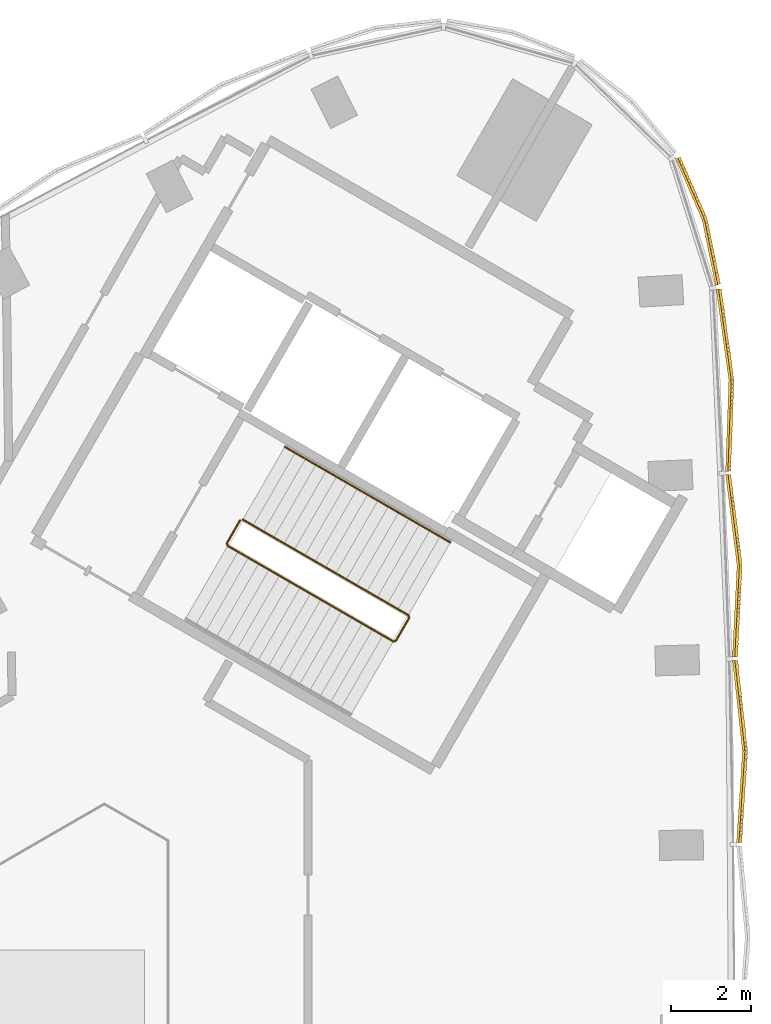
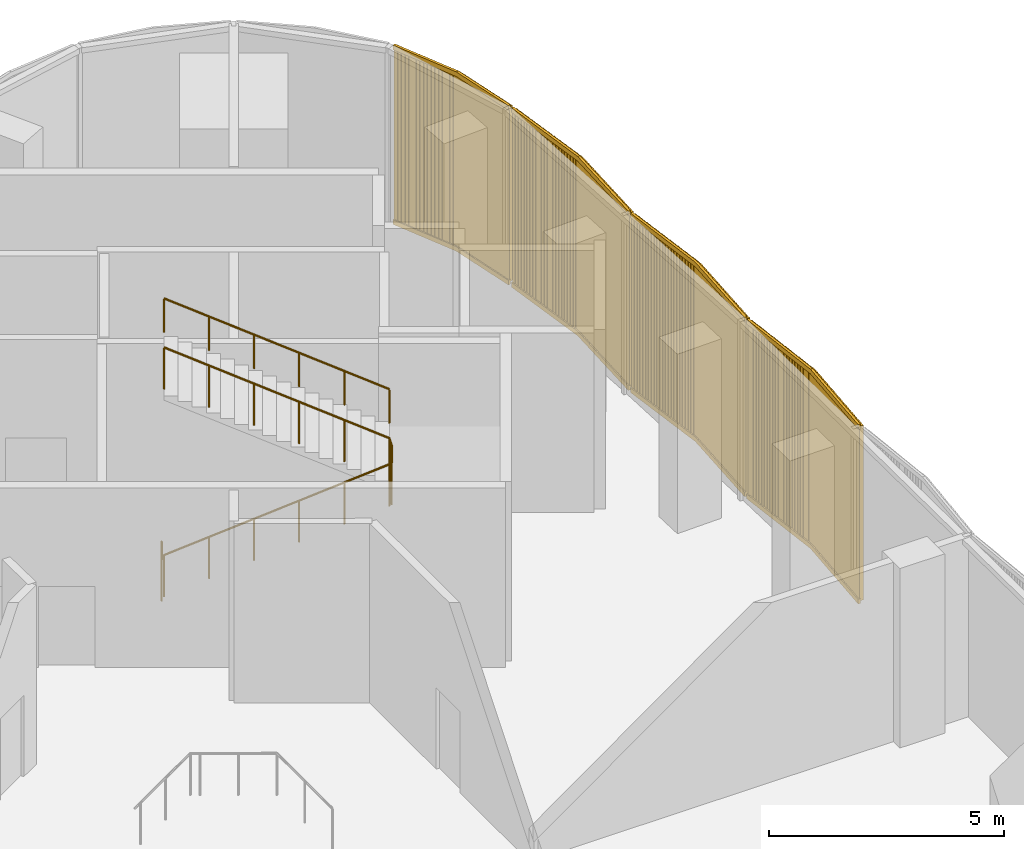
# One storey, part 14 of 15: 4 coverings, 2 railings.
"""IFC4 building model written with IfcOpenShell, lengths in metres."""

import ifcopenshell
import ifcopenshell.guid

model = None  # the IFC model being written
_history = None  # IfcOwnerHistory: only IFC2X3 demands one
_inside = {}  # id of a spatial element -> (the spatial element, [elements in it])
_under = {}  # id of a project, library or spatial element -> (it, [spatial elements below it])
_declared = {}  # id of a project -> (the project, [libraries it declares])
_typed = {}  # id of a type object -> (the type object, [elements of that type])
_made_of = {}  # id of a material, layer set ... -> (it, [elements and type objects made of it])


def new_model(schema):
    """Start an empty IFC model of exactly this schema.

    Asked for "IFC4X3", IfcOpenShell would pick the latest addendum, in which some entities
    have other attributes; the version numbers below select the first issue.
    IFC2X3 requires an IfcOwnerHistory on every rooted entity: one is made here for all.
    """
    global model, _history
    if schema == "IFC4X3":
        model = ifcopenshell.file(schema_version=(4, 3, 0, 0))
    else:
        model = ifcopenshell.file(schema=schema)
    _inside.clear()
    _under.clear()
    _declared.clear()
    _typed.clear()
    _made_of.clear()
    _history = None
    if model.schema == "IFC2X3":
        org = make("IfcOrganization", Name="unknown")
        user = make(
            "IfcPersonAndOrganization",
            ThePerson=make("IfcPerson", FamilyName="unknown"),
            TheOrganization=org,
        )
        app = make(
            "IfcApplication",
            ApplicationDeveloper=org,
            Version="unknown",
            ApplicationFullName="unknown",
            ApplicationIdentifier="unknown",
        )
        _history = make(
            "IfcOwnerHistory",
            OwningUser=user,
            OwningApplication=app,
            ChangeAction="ADDED",
            CreationDate=0,
        )
    return model


def make(cls, **values):
    """One entity of the class cls with the attributes given. An attribute that is None is left unset."""
    return model.create_entity(
        cls, **{name: value for name, value in values.items() if value is not None}
    )


def rooted(cls, **values):
    """An entity with a GlobalId (a new one), such as an element, a storey or a relation."""
    return make(cls, GlobalId=ifcopenshell.guid.new(), OwnerHistory=_history, **values)


def si_unit(unit_type, name, prefix=None):
    """IfcSIUnit, for example si_unit("LENGTHUNIT", "METRE", prefix="MILLI")."""
    return make("IfcSIUnit", UnitType=unit_type, Prefix=prefix, Name=name)


def assignment(units):
    """IfcUnitAssignment: the units of a project."""
    return None if units is None else make("IfcUnitAssignment", Units=units)


def point(xyz):
    """IfcCartesianPoint."""
    return None if xyz is None else make("IfcCartesianPoint", Coordinates=xyz)


def direction(xyz):
    """IfcDirection."""
    return None if xyz is None else make("IfcDirection", DirectionRatios=xyz)


def frame(location, z_axis=None, x_axis=None):
    """IfcAxis2Placement3D, a coordinate frame: its origin and axes. An axis left out is left unset."""
    return make(
        "IfcAxis2Placement3D",
        Location=point(location),
        Axis=direction(z_axis),
        RefDirection=direction(x_axis),
    )


def frame_2d(location, x_axis=None):
    """IfcAxis2Placement2D, a coordinate frame in the plane: its origin and x axis."""
    return make(
        "IfcAxis2Placement2D", Location=point(location), RefDirection=direction(x_axis)
    )


def origin():
    """The frame at (0, 0, 0) with its axes left unset."""
    return frame((0.0, 0.0, 0.0))


def origin_2d():
    """The frame at (0, 0) in the plane with its x axis left unset."""
    return frame_2d((0.0, 0.0))


def place(relative_to, where):
    """IfcLocalPlacement: puts the frame where relative to a parent placement (None: the world)."""
    return make(
        "IfcLocalPlacement", PlacementRelTo=relative_to, RelativePlacement=where
    )


def context(
    kind, dimensions, precision=None, world=None, true_north=None, identifier=None
):
    """IfcGeometricRepresentationContext, for example the 3D "Model" context."""
    return make(
        "IfcGeometricRepresentationContext",
        ContextIdentifier=identifier,
        ContextType=kind,
        CoordinateSpaceDimension=dimensions,
        Precision=precision,
        WorldCoordinateSystem=world,
        TrueNorth=true_north,
    )


def subcontext(parent, identifier, kind, view, scale=None):
    """IfcGeometricRepresentationSubContext, for example "Body" below "Model"."""
    return make(
        "IfcGeometricRepresentationSubContext",
        ContextIdentifier=identifier,
        ContextType=kind,
        ParentContext=parent,
        TargetScale=scale,
        TargetView=view,
    )


def project(units=None, contexts=None):
    """IfcProject with its units and contexts."""
    return rooted(
        "IfcProject",
        Name="project",
        RepresentationContexts=contexts,
        UnitsInContext=assignment(units),
    )


def spatial(cls, under=None, at=None, **own):
    """A site, building, storey or space (cls), placed at a placement, below another one or the project."""
    s = rooted(cls, ObjectPlacement=at, **own)
    if under is not None:
        _under.setdefault(under.id(), (under, []))[1].append(s)
    return s


def profile(cls, at=None, kind="AREA", **sizes):
    """A parametric profile (cls). Its sizes go by their IFC names, for example OverallWidth=200.0."""
    return make(cls, ProfileType=kind, Position=at, **sizes)


def rectangle(**sizes):
    """IfcRectangleProfileDef."""
    return profile("IfcRectangleProfileDef", **sizes)


def circle(**sizes):
    """IfcCircleProfileDef."""
    return profile("IfcCircleProfileDef", **sizes)


def extrude(swept, where, along, depth):
    """IfcExtrudedAreaSolid: the profile swept, set in the frame where, extruded along a direction by depth."""
    return make(
        "IfcExtrudedAreaSolid",
        SweptArea=swept,
        Position=where,
        ExtrudedDirection=direction(along),
        Depth=depth,
    )


def shape(context_of_items, identifier, shape_type, items):
    """IfcShapeRepresentation: the items that make up one representation, for example the "Body"."""
    return make(
        "IfcShapeRepresentation",
        ContextOfItems=context_of_items,
        RepresentationIdentifier=identifier,
        RepresentationType=shape_type,
        Items=items,
    )


def source(mapping_origin, context_of_items, identifier, shape_type, items):
    """IfcRepresentationMap: a shape defined once, which mapped items show again and again."""
    return make(
        "IfcRepresentationMap",
        MappingOrigin=mapping_origin,
        MappedRepresentation=shape(context_of_items, identifier, shape_type, items),
    )


def transform(
    local_origin,
    x_axis=None,
    y_axis=None,
    z_axis=None,
    scale=None,
    scale2=None,
    scale3=None,
    uniform=True,
):
    """IfcCartesianTransformationOperator3D, or its non-uniform kind. x_axis, y_axis, z_axis: its Axis1, 2, 3."""
    if uniform:
        return make(
            "IfcCartesianTransformationOperator3D",
            Axis1=direction(x_axis),
            Axis2=direction(y_axis),
            LocalOrigin=point(local_origin),
            Scale=scale,
            Axis3=direction(z_axis),
        )
    return make(
        "IfcCartesianTransformationOperator3DnonUniform",
        Axis1=direction(x_axis),
        Axis2=direction(y_axis),
        LocalOrigin=point(local_origin),
        Scale=scale,
        Axis3=direction(z_axis),
        Scale2=scale2,
        Scale3=scale3,
    )


def mapped(mapping_source, mapping_target):
    """IfcMappedItem: shows the shape of a source again, moved by a transform."""
    return make(
        "IfcMappedItem", MappingSource=mapping_source, MappingTarget=mapping_target
    )


def material(Name=None, Category=None):
    """IfcMaterial."""
    return make("IfcMaterial", Name=Name, Category=Category)


def made_of(thing, what):
    """Note that an element or type object is made of a material, layer set ...; save() writes the relation."""
    if what is not None:
        _made_of.setdefault(what.id(), (what, []))[1].append(thing)
    return thing


def type_object(cls, material=None, **own):
    """A type object (cls), such as IfcWallType, which elements share."""
    return made_of(rooted(cls, **own), material)


def element(
    cls,
    number,
    at=None,
    inside=None,
    cuts=None,
    type_object=None,
    material=None,
    context=None,
    identifier="Body",
    shape_type=None,
    held_by="IfcProductDefinitionShape",
    body=None,
    shapes=None,
    **own,
):
    """One element of the class cls, such as IfcWall. Its Tag is "e" and its number.

    at: its placement. inside: the storey or other place that contains it. cuts: it is an
    opening in that element (IfcRelVoidsElement). A single representation is given by context,
    identifier, shape_type and body (its items); several are given by shapes. held_by: the class
    of the entity that holds the representations. save() writes the other relations.
    """
    e = rooted(cls, Tag="e%d" % number, ObjectPlacement=at, **own)
    if body is not None:
        shapes = [shape(context, identifier, shape_type, body)]
    if shapes is not None:
        e.Representation = make(held_by, Representations=shapes)
    if inside is not None:
        _inside.setdefault(inside.id(), (inside, []))[1].append(e)
    if cuts is not None:
        rooted(
            "IfcRelVoidsElement", RelatingBuildingElement=cuts, RelatedOpeningElement=e
        )
    if type_object is not None:
        _typed.setdefault(type_object.id(), (type_object, []))[1].append(e)
    return made_of(e, material)


def aggregate(whole, parts):
    """IfcRelAggregates: a whole, such as a stair, and the parts it consists of."""
    return rooted("IfcRelAggregates", RelatingObject=whole, RelatedObjects=parts)


def save(model, path):
    """Write the relations noted so far, then the file.

    IfcRelAggregates (storeys below a building ...), IfcRelContainedInSpatialStructure (elements
    in a storey), IfcRelDefinesByType, IfcRelAssociatesMaterial and IfcRelDeclares: one each for
    every whole, place, type object, material and project.
    """
    for whole, parts in _under.values():
        aggregate(whole, parts)
    for where, things in _inside.values():
        rooted(
            "IfcRelContainedInSpatialStructure",
            RelatedElements=things,
            RelatingStructure=where,
        )
    for kind, things in _typed.values():
        rooted("IfcRelDefinesByType", RelatedObjects=things, RelatingType=kind)
    for what, things in _made_of.values():
        rooted("IfcRelAssociatesMaterial", RelatedObjects=things, RelatingMaterial=what)
    for by, libraries in _declared.values():
        rooted("IfcRelDeclares", RelatingContext=by, RelatedDefinitions=libraries)
    model.write(path)


model = new_model("IFC4")

# Units and contexts
model_context = context("Model", 3, precision=1e-05, world=origin(), true_north=direction((0.0, 1.0)))
body_context = subcontext(model_context, "Body", "Model", "MODEL_VIEW")
ifc_project = project(units=[si_unit("LENGTHUNIT", "METRE"), si_unit("AREAUNIT", "SQUARE_METRE"), si_unit("VOLUMEUNIT", "CUBIC_METRE"), si_unit("PLANEANGLEUNIT", "RADIAN"), si_unit("MASSUNIT", "GRAM", prefix="KILO")], contexts=[model_context])

# Site, building, storey
site_placement = place(None, origin())
site = spatial("IfcSite", under=ifc_project, at=site_placement, CompositionType="ELEMENT")
building_placement = place(site_placement, origin())
building = spatial("IfcBuilding", under=site, at=building_placement, Name="Tamra Quay Hotel Tower", CompositionType="ELEMENT")
storey_placement = place(building_placement, frame((0.0, 0.0, 216.39990234375)))
storey = spatial("IfcBuildingStorey", under=building, at=storey_placement, Name="L54", CompositionType="ELEMENT", Elevation=216.39990234375)

# Railings
ifc_material_1 = material(Name="Stair guard 1100")
railing_type_1 = type_object("IfcRailingType", Name="Stair guard 1100", PredefinedType="GUARDRAIL", material=ifc_material_1)
railing_1_placement = place(storey_placement, frame((5.595458984375, 12.751953125, 0.0)))
element("IfcRailing", 1, at=railing_1_placement, inside=storey, type_object=railing_type_1, Name="GR", PredefinedType="GUARDRAIL", context=body_context, shape_type="SweptSolid", body=[
    extrude(circle(Radius=0.02392578125, at=origin_2d()), frame((0.0, 0.0, 1.076171875), z_axis=(-0.499765215335, -0.866160914346, 0.0), x_axis=(0.866160914346, -0.499765215335, 0.0)), (0.0, 0.0, 1.0), 0.658935546875),
    extrude(circle(Radius=0.02392578125, at=origin_2d()), frame((-0.329345703125, -0.57080078125, 1.076171875), z_axis=(0.112168540956, -0.417266972358, 0.901835069289), x_axis=(0.965715946433, 0.259601060869, 0.0)), (0.0, 0.0, 1.0), 0.163330078125),
    extrude(circle(Radius=0.02392578125, at=origin_2d()), frame((-0.31103515625, -0.638916015625, 1.22314453125), z_axis=(0.777122292527, -0.448688522226, 0.441315706133), x_axis=(0.500014005679, 0.866017317451, 0.0)), (0.0, 0.0, 1.0), 5.331298828125),
    extrude(circle(Radius=0.02392578125, at=origin_2d()), frame((3.83203125, -3.031005859375, 3.576171875), z_axis=(0.965715946433, 0.259601060869, 0.0), x_axis=(-0.259601060869, 0.965715946433, 0.0)), (0.0, 0.0, 1.0), 0.070556640625),
    extrude(circle(Radius=0.02392578125, at=origin_2d()), frame((3.900146484375, -3.0126953125, 3.576171875), z_axis=(0.500043078269, 0.866000531106, 0.0), x_axis=(-0.866000531106, 0.500043078269, 0.0)), (0.0, 0.0, 1.0), 0.6591796875),
    extrude(circle(Radius=0.02392578125, at=origin_2d()), frame((4.229736328125, -2.44189453125, 3.576171875), z_axis=(-0.112168540956, 0.417266972358, 0.901835069289), x_axis=(-0.965715946433, -0.259601060869, 0.0)), (0.0, 0.0, 1.0), 0.163330078125),
    extrude(circle(Radius=0.02392578125, at=origin_2d()), frame((4.21142578125, -2.373779296875, 3.72314453125), z_axis=(-0.777122292527, 0.448688522226, 0.441315706133), x_axis=(-0.500014005679, -0.866017317451, 0.0)), (0.0, 0.0, 1.0), 5.331298828125),
    extrude(circle(Radius=0.02099609375, at=origin_2d()), origin(), (0.0, 0.0, 1.0), 1.052001953125),
    extrude(circle(Radius=0.02099609375, at=origin_2d()), frame((-0.329345703125, -0.57080078125, 0.0)), (0.0, 0.0, 1.0), 1.052001953125),
    extrude(circle(Radius=0.02099609375, at=origin_2d()), frame((-0.31103515625, -0.638916015625, 0.147216796875)), (0.0, 0.0, 1.0), 1.052001953125),
    extrude(circle(Radius=0.02099609375, at=origin_2d()), frame((0.517578125, -1.117431640625, 0.61767578125)), (0.0, 0.0, 1.0), 1.052001953125),
    extrude(circle(Radius=0.02099609375, at=origin_2d()), frame((1.34619140625, -1.595703125, 1.08837890625)), (0.0, 0.0, 1.0), 1.052001953125),
    extrude(circle(Radius=0.02099609375, at=origin_2d()), frame((2.1748046875, -2.07421875, 1.558837890625)), (0.0, 0.0, 1.0), 1.052001953125),
    extrude(circle(Radius=0.02099609375, at=origin_2d()), frame((3.00341796875, -2.552490234375, 2.029541015625)), (0.0, 0.0, 1.0), 1.052001953125),
    extrude(circle(Radius=0.02099609375, at=origin_2d()), frame((3.83203125, -3.031005859375, 2.5)), (0.0, 0.0, 1.0), 1.052001953125),
    extrude(circle(Radius=0.02099609375, at=origin_2d()), frame((3.900146484375, -3.0126953125, 2.5)), (0.0, 0.0, 1.0), 1.052001953125),
    extrude(circle(Radius=0.02099609375, at=origin_2d()), frame((4.229736328125, -2.44189453125, 2.5)), (0.0, 0.0, 1.0), 1.052001953125),
    extrude(circle(Radius=0.02099609375, at=origin_2d()), frame((4.21142578125, -2.373779296875, 2.647216796875)), (0.0, 0.0, 1.0), 1.052001953125),
    extrude(circle(Radius=0.02099609375, at=origin_2d()), frame((3.3828125, -1.895263671875, 3.11767578125)), (0.0, 0.0, 1.0), 1.052001953125),
    extrude(circle(Radius=0.02099609375, at=origin_2d()), frame((2.55419921875, -1.4169921875, 3.58837890625)), (0.0, 0.0, 1.0), 1.052001953125),
    extrude(circle(Radius=0.02099609375, at=origin_2d()), frame((1.7255859375, -0.9384765625, 4.058837890625)), (0.0, 0.0, 1.0), 1.052001953125),
    extrude(circle(Radius=0.02099609375, at=origin_2d()), frame((0.89697265625, -0.460205078125, 4.529541015625)), (0.0, 0.0, 1.0), 1.052001953125),
    extrude(circle(Radius=0.02099609375, at=origin_2d()), frame((0.068359375, 0.018310546875, 5.0)), (0.0, 0.0, 1.0), 1.052001953125),
])
ifc_material_2 = material(Name="Stair handrail 900")
railing_type_2 = type_object("IfcRailingType", Name="Stair handrail 900", PredefinedType="HANDRAIL", material=ifc_material_2)
railing_2_placement = place(storey_placement, frame((10.85693359375, 12.197021484375, 2.647216796875)))
element("IfcRailing", 2, at=railing_2_placement, inside=storey, type_object=railing_type_2, Name="HR", PredefinedType="HANDRAIL", context=body_context, shape_type="SweptSolid", body=[
    extrude(circle(Radius=0.02392578125, at=origin_2d()), frame((0.0, 0.0, 0.8759765625), z_axis=(-0.777138259885, 0.4486519465, 0.441324773749), x_axis=(-0.49997573074, -0.866039415195, 0.0)), (0.0, 0.0, 1.0), 5.331298828125),
    extrude(circle(Radius=0.02099609375, at=origin_2d()), origin(), (0.0, 0.0, 1.0), 0.851806640625),
    extrude(circle(Radius=0.02099609375, at=origin_2d()), frame((-0.82861328125, 0.478271484375, 0.470458984375)), (0.0, 0.0, 1.0), 0.851806640625),
    extrude(circle(Radius=0.02099609375, at=origin_2d()), frame((-1.6572265625, 0.956787109375, 0.941162109375)), (0.0, 0.0, 1.0), 0.851806640625),
    extrude(circle(Radius=0.02099609375, at=origin_2d()), frame((-2.48583984375, 1.43505859375, 1.41162109375)), (0.0, 0.0, 1.0), 0.851806640625),
    extrude(circle(Radius=0.02099609375, at=origin_2d()), frame((-3.314453125, 1.91357421875, 1.88232421875)), (0.0, 0.0, 1.0), 0.851806640625),
    extrude(circle(Radius=0.02099609375, at=origin_2d()), frame((-4.14306640625, 2.391845703125, 2.352783203125)), (0.0, 0.0, 1.0), 0.851806640625),
])

# Coverings
ifc_material_3 = material(Name="Terracotta baguette extruded", Category="masonry")
covering_type_1 = type_object("IfcCoveringType", Name="BAGUETTE SCREEN E-SHALLOW H4650", PredefinedType="USERDEFINED", material=ifc_material_3)
shared_shape_1 = source(origin(), body_context, "Body", "SweptSolid", [
    extrude(rectangle(XDim=2.291259765625, YDim=0.06005859375, at=frame_2d((1.1455078125, 0.030029296875))), frame((-2.287841796875, -0.057861328125, -0.1201171875), z_axis=(0.0, 0.0, 1.0), x_axis=(0.996194698092, -0.087155742748, 0.0)), (0.0, 0.0, 1.0), 0.1201171875),
    extrude(rectangle(XDim=2.291259765625, YDim=0.06005859375, at=frame_2d((1.1455078125, 0.030029296875))), frame((-2.287841796875, -0.057861328125, -4.64990234375), z_axis=(0.0, 0.0, 1.0), x_axis=(0.996194698092, -0.087155742748, 0.0)), (0.0, 0.0, 1.0), 0.1201171875),
    extrude(rectangle(XDim=0.094970703125, YDim=0.10009765625, at=frame_2d((0.04736328125, 0.050048828125))), frame((-2.2802734375, -0.13232421875, -4.590087890625)), (0.0, 0.0, 1.0), 4.530029296875),
    extrude(rectangle(XDim=0.094970703125, YDim=0.10009765625, at=frame_2d((0.04736328125, 0.050048828125))), frame((-2.18115234375, -0.14111328125, -4.590087890625)), (0.0, 0.0, 1.0), 4.530029296875),
    extrude(rectangle(XDim=0.094970703125, YDim=0.10009765625, at=frame_2d((0.04736328125, 0.050048828125))), frame((-2.081787109375, -0.149658203125, -4.590087890625)), (0.0, 0.0, 1.0), 4.530029296875),
    extrude(rectangle(XDim=0.094970703125, YDim=0.10009765625, at=frame_2d((0.04736328125, 0.050048828125))), frame((-1.982666015625, -0.158447265625, -4.590087890625)), (0.0, 0.0, 1.0), 4.530029296875),
    extrude(rectangle(XDim=0.094970703125, YDim=0.10009765625, at=frame_2d((0.04736328125, 0.050048828125))), frame((-1.88330078125, -0.1669921875, -4.590087890625)), (0.0, 0.0, 1.0), 4.530029296875),
    extrude(rectangle(XDim=0.094970703125, YDim=0.10009765625, at=frame_2d((0.04736328125, 0.050048828125))), frame((-1.7841796875, -0.17578125, -4.590087890625)), (0.0, 0.0, 1.0), 4.530029296875),
    extrude(rectangle(XDim=0.094970703125, YDim=0.10009765625, at=frame_2d((0.04736328125, 0.050048828125))), frame((-1.68505859375, -0.184326171875, -4.590087890625)), (0.0, 0.0, 1.0), 4.530029296875),
    extrude(rectangle(XDim=0.094970703125, YDim=0.10009765625, at=frame_2d((0.04736328125, 0.050048828125))), frame((-1.585693359375, -0.193115234375, -4.590087890625)), (0.0, 0.0, 1.0), 4.530029296875),
    extrude(rectangle(XDim=0.094970703125, YDim=0.10009765625, at=frame_2d((0.04736328125, 0.050048828125))), frame((-1.486572265625, -0.201904296875, -4.590087890625)), (0.0, 0.0, 1.0), 4.530029296875),
    extrude(rectangle(XDim=0.094970703125, YDim=0.10009765625, at=frame_2d((0.04736328125, 0.050048828125))), frame((-1.38720703125, -0.21044921875, -4.590087890625)), (0.0, 0.0, 1.0), 4.530029296875),
    extrude(rectangle(XDim=0.094970703125, YDim=0.10009765625, at=frame_2d((0.04736328125, 0.050048828125))), frame((-1.2880859375, -0.21923828125, -4.590087890625)), (0.0, 0.0, 1.0), 4.530029296875),
    extrude(rectangle(XDim=0.094970703125, YDim=0.10009765625, at=frame_2d((0.04736328125, 0.050048828125))), frame((-1.188720703125, -0.227783203125, -4.590087890625)), (0.0, 0.0, 1.0), 4.530029296875),
    extrude(rectangle(XDim=0.094970703125, YDim=0.10009765625, at=frame_2d((0.04736328125, 0.050048828125))), frame((-1.089599609375, -0.236572265625, -4.590087890625)), (0.0, 0.0, 1.0), 4.530029296875),
    extrude(rectangle(XDim=0.094970703125, YDim=0.10009765625, at=frame_2d((0.04736328125, 0.050048828125))), frame((-0.990234375, -0.2451171875, -4.590087890625)), (0.0, 0.0, 1.0), 4.530029296875),
    extrude(rectangle(XDim=0.094970703125, YDim=0.10009765625, at=frame_2d((0.04736328125, 0.050048828125))), frame((-0.89111328125, -0.25390625, -4.590087890625)), (0.0, 0.0, 1.0), 4.530029296875),
    extrude(rectangle(XDim=0.094970703125, YDim=0.10009765625, at=frame_2d((0.04736328125, 0.050048828125))), frame((-0.791748046875, -0.2626953125, -4.590087890625)), (0.0, 0.0, 1.0), 4.530029296875),
    extrude(rectangle(XDim=0.094970703125, YDim=0.10009765625, at=frame_2d((0.04736328125, 0.050048828125))), frame((-0.692626953125, -0.271240234375, -4.590087890625)), (0.0, 0.0, 1.0), 4.530029296875),
    extrude(rectangle(XDim=0.094970703125, YDim=0.10009765625, at=frame_2d((0.04736328125, 0.050048828125))), frame((-0.59326171875, -0.280029296875, -4.590087890625)), (0.0, 0.0, 1.0), 4.530029296875),
    extrude(rectangle(XDim=0.094970703125, YDim=0.10009765625, at=frame_2d((0.04736328125, 0.050048828125))), frame((-0.494140625, -0.28857421875, -4.590087890625)), (0.0, 0.0, 1.0), 4.530029296875),
    extrude(rectangle(XDim=0.094970703125, YDim=0.10009765625, at=frame_2d((0.04736328125, 0.050048828125))), frame((-0.394775390625, -0.29736328125, -4.590087890625)), (0.0, 0.0, 1.0), 4.530029296875),
    extrude(rectangle(XDim=0.094970703125, YDim=0.10009765625, at=frame_2d((0.04736328125, 0.050048828125))), frame((-0.295654296875, -0.305908203125, -4.590087890625)), (0.0, 0.0, 1.0), 4.530029296875),
    extrude(rectangle(XDim=0.094970703125, YDim=0.10009765625, at=frame_2d((0.04736328125, 0.050048828125))), frame((-0.1962890625, -0.314697265625, -4.590087890625)), (0.0, 0.0, 1.0), 4.530029296875),
    extrude(rectangle(XDim=0.094970703125, YDim=0.10009765625, at=frame_2d((0.04736328125, 0.050048828125))), frame((-0.09716796875, -0.3232421875, -4.590087890625)), (0.0, 0.0, 1.0), 4.530029296875),
    extrude(rectangle(XDim=2.291259765625, YDim=0.06005859375, at=frame_2d((1.1455078125, 0.030029296875))), frame((0.005126953125, -0.257568359375, -0.1201171875), z_axis=(0.0, 0.0, 1.0), x_axis=(0.996194698092, 0.087155742748, 0.0)), (0.0, 0.0, 1.0), 0.1201171875),
    extrude(rectangle(XDim=2.291259765625, YDim=0.06005859375, at=frame_2d((1.1455078125, 0.030029296875))), frame((0.005126953125, -0.257568359375, -4.64990234375), z_axis=(0.0, 0.0, 1.0), x_axis=(0.996194698092, 0.087155742748, 0.0)), (0.0, 0.0, 1.0), 0.1201171875),
    extrude(rectangle(XDim=0.094970703125, YDim=0.10009765625, at=frame_2d((0.04736328125, 0.050048828125))), frame((0.002197265625, -0.3232421875, -4.590087890625)), (0.0, 0.0, 1.0), 4.530029296875),
    extrude(rectangle(XDim=0.094970703125, YDim=0.10009765625, at=frame_2d((0.04736328125, 0.050048828125))), frame((0.101318359375, -0.314697265625, -4.590087890625)), (0.0, 0.0, 1.0), 4.530029296875),
    extrude(rectangle(XDim=0.094970703125, YDim=0.10009765625, at=frame_2d((0.04736328125, 0.050048828125))), frame((0.20068359375, -0.305908203125, -4.590087890625)), (0.0, 0.0, 1.0), 4.530029296875),
    extrude(rectangle(XDim=0.094970703125, YDim=0.10009765625, at=frame_2d((0.04736328125, 0.050048828125))), frame((0.2998046875, -0.29736328125, -4.590087890625)), (0.0, 0.0, 1.0), 4.530029296875),
    extrude(rectangle(XDim=0.094970703125, YDim=0.10009765625, at=frame_2d((0.04736328125, 0.050048828125))), frame((0.399169921875, -0.28857421875, -4.590087890625)), (0.0, 0.0, 1.0), 4.530029296875),
    extrude(rectangle(XDim=0.094970703125, YDim=0.10009765625, at=frame_2d((0.04736328125, 0.050048828125))), frame((0.498291015625, -0.280029296875, -4.590087890625)), (0.0, 0.0, 1.0), 4.530029296875),
    extrude(rectangle(XDim=0.094970703125, YDim=0.10009765625, at=frame_2d((0.04736328125, 0.050048828125))), frame((0.59765625, -0.271240234375, -4.590087890625)), (0.0, 0.0, 1.0), 4.530029296875),
    extrude(rectangle(XDim=0.094970703125, YDim=0.10009765625, at=frame_2d((0.04736328125, 0.050048828125))), frame((0.69677734375, -0.2626953125, -4.590087890625)), (0.0, 0.0, 1.0), 4.530029296875),
    extrude(rectangle(XDim=0.094970703125, YDim=0.10009765625, at=frame_2d((0.04736328125, 0.050048828125))), frame((0.796142578125, -0.25390625, -4.590087890625)), (0.0, 0.0, 1.0), 4.530029296875),
    extrude(rectangle(XDim=0.094970703125, YDim=0.10009765625, at=frame_2d((0.04736328125, 0.050048828125))), frame((0.895263671875, -0.2451171875, -4.590087890625)), (0.0, 0.0, 1.0), 4.530029296875),
    extrude(rectangle(XDim=0.094970703125, YDim=0.10009765625, at=frame_2d((0.04736328125, 0.050048828125))), frame((0.99462890625, -0.236572265625, -4.590087890625)), (0.0, 0.0, 1.0), 4.530029296875),
    extrude(rectangle(XDim=0.094970703125, YDim=0.10009765625, at=frame_2d((0.04736328125, 0.050048828125))), frame((1.09375, -0.227783203125, -4.590087890625)), (0.0, 0.0, 1.0), 4.530029296875),
    extrude(rectangle(XDim=0.094970703125, YDim=0.10009765625, at=frame_2d((0.04736328125, 0.050048828125))), frame((1.19287109375, -0.21923828125, -4.590087890625)), (0.0, 0.0, 1.0), 4.530029296875),
    extrude(rectangle(XDim=0.094970703125, YDim=0.10009765625, at=frame_2d((0.04736328125, 0.050048828125))), frame((1.292236328125, -0.21044921875, -4.590087890625)), (0.0, 0.0, 1.0), 4.530029296875),
    extrude(rectangle(XDim=0.094970703125, YDim=0.10009765625, at=frame_2d((0.04736328125, 0.050048828125))), frame((1.391357421875, -0.201904296875, -4.590087890625)), (0.0, 0.0, 1.0), 4.530029296875),
    extrude(rectangle(XDim=0.094970703125, YDim=0.10009765625, at=frame_2d((0.04736328125, 0.050048828125))), frame((1.49072265625, -0.193115234375, -4.590087890625)), (0.0, 0.0, 1.0), 4.530029296875),
    extrude(rectangle(XDim=0.094970703125, YDim=0.10009765625, at=frame_2d((0.04736328125, 0.050048828125))), frame((1.58984375, -0.184326171875, -4.590087890625)), (0.0, 0.0, 1.0), 4.530029296875),
    extrude(rectangle(XDim=0.094970703125, YDim=0.10009765625, at=frame_2d((0.04736328125, 0.050048828125))), frame((1.689208984375, -0.17578125, -4.590087890625)), (0.0, 0.0, 1.0), 4.530029296875),
    extrude(rectangle(XDim=0.094970703125, YDim=0.10009765625, at=frame_2d((0.04736328125, 0.050048828125))), frame((1.788330078125, -0.1669921875, -4.590087890625)), (0.0, 0.0, 1.0), 4.530029296875),
    extrude(rectangle(XDim=0.094970703125, YDim=0.10009765625, at=frame_2d((0.04736328125, 0.050048828125))), frame((1.8876953125, -0.158447265625, -4.590087890625)), (0.0, 0.0, 1.0), 4.530029296875),
    extrude(rectangle(XDim=0.094970703125, YDim=0.10009765625, at=frame_2d((0.04736328125, 0.050048828125))), frame((1.98681640625, -0.149658203125, -4.590087890625)), (0.0, 0.0, 1.0), 4.530029296875),
    extrude(rectangle(XDim=0.094970703125, YDim=0.10009765625, at=frame_2d((0.04736328125, 0.050048828125))), frame((2.086181640625, -0.14111328125, -4.590087890625)), (0.0, 0.0, 1.0), 4.530029296875),
    extrude(rectangle(XDim=0.094970703125, YDim=0.10009765625, at=frame_2d((0.04736328125, 0.050048828125))), frame((2.185302734375, -0.13232421875, -4.590087890625)), (0.0, 0.0, 1.0), 4.530029296875),
])
for number, where, z_axis, x_axis, name in (
    (3, (17.967041015625, 6.9677734375, 4.650146484375), (0.0, 0.0, 1.0), (-0.022062941514, 0.99975658368, 0.0), "Baguette screen L54.E.f05"),
    (4, (17.830322265625, 11.611083984375, 4.650146484375), (0.0, 0.0, 1.0), (-0.036744877024, 0.999324678977, 0.0), "Baguette screen L54.E.f06"),
    (5, (17.62548828125, 16.252197265625, 4.650146484375), (0.0, 0.0, 1.0), (-0.051403550754, 0.998677963595, 0.0), "Baguette screen L54.E.f07"),
):
    element("IfcCovering", number, at=place(storey_placement, frame(where, z_axis=z_axis, x_axis=x_axis)), inside=storey, type_object=covering_type_1, Name=name, ObjectType="BAGUETTE SCREEN", PredefinedType="USERDEFINED", context=body_context, shape_type="MappedRepresentation", body=[
        mapped(shared_shape_1, transform((0.0, 0.0, 0.0), scale=1.0)),
    ])
covering_type_2 = type_object("IfcCoveringType", Name="BAGUETTE SCREEN CORNER-SHALLOW H4650", PredefinedType="USERDEFINED", material=ifc_material_3)
shared_shape_2 = source(origin(), body_context, "Body", "SweptSolid", [
    extrude(rectangle(XDim=1.671630859375, YDim=0.06005859375, at=frame_2d((0.8359375, 0.030029296875))), frame((-1.668701171875, -0.0576171875, -0.1201171875), z_axis=(0.0, 0.0, 1.0), x_axis=(0.994521895368, -0.104528463268, 0.0)), (0.0, 0.0, 1.0), 0.1201171875),
    extrude(rectangle(XDim=1.671630859375, YDim=0.06005859375, at=frame_2d((0.8359375, 0.030029296875))), frame((-1.668701171875, -0.0576171875, -4.64990234375), z_axis=(0.0, 0.0, 1.0), x_axis=(0.994521895368, -0.104528463268, 0.0)), (0.0, 0.0, 1.0), 0.1201171875),
    extrude(rectangle(XDim=0.094970703125, YDim=0.10009765625, at=frame_2d((0.04736328125, 0.050048828125))), frame((-1.6611328125, -0.133056640625, -4.590087890625)), (0.0, 0.0, 1.0), 4.530029296875),
    extrude(rectangle(XDim=0.094970703125, YDim=0.10009765625, at=frame_2d((0.04736328125, 0.050048828125))), frame((-1.563232421875, -0.143310546875, -4.590087890625)), (0.0, 0.0, 1.0), 4.530029296875),
    extrude(rectangle(XDim=0.094970703125, YDim=0.10009765625, at=frame_2d((0.04736328125, 0.050048828125))), frame((-1.465576171875, -0.15380859375, -4.590087890625)), (0.0, 0.0, 1.0), 4.530029296875),
    extrude(rectangle(XDim=0.094970703125, YDim=0.10009765625, at=frame_2d((0.04736328125, 0.050048828125))), frame((-1.36767578125, -0.1640625, -4.590087890625)), (0.0, 0.0, 1.0), 4.530029296875),
    extrude(rectangle(XDim=0.094970703125, YDim=0.10009765625, at=frame_2d((0.04736328125, 0.050048828125))), frame((-1.27001953125, -0.17431640625, -4.590087890625)), (0.0, 0.0, 1.0), 4.530029296875),
    extrude(rectangle(XDim=0.094970703125, YDim=0.10009765625, at=frame_2d((0.04736328125, 0.050048828125))), frame((-1.172119140625, -0.1845703125, -4.590087890625)), (0.0, 0.0, 1.0), 4.530029296875),
    extrude(rectangle(XDim=0.094970703125, YDim=0.10009765625, at=frame_2d((0.04736328125, 0.050048828125))), frame((-1.07421875, -0.19482421875, -4.590087890625)), (0.0, 0.0, 1.0), 4.530029296875),
    extrude(rectangle(XDim=0.094970703125, YDim=0.10009765625, at=frame_2d((0.04736328125, 0.050048828125))), frame((-0.9765625, -0.205078125, -4.590087890625)), (0.0, 0.0, 1.0), 4.530029296875),
    extrude(rectangle(XDim=0.094970703125, YDim=0.10009765625, at=frame_2d((0.04736328125, 0.050048828125))), frame((-0.878662109375, -0.21533203125, -4.590087890625)), (0.0, 0.0, 1.0), 4.530029296875),
    extrude(rectangle(XDim=0.094970703125, YDim=0.10009765625, at=frame_2d((0.04736328125, 0.050048828125))), frame((-0.781005859375, -0.2255859375, -4.590087890625)), (0.0, 0.0, 1.0), 4.530029296875),
    extrude(rectangle(XDim=0.094970703125, YDim=0.10009765625, at=frame_2d((0.04736328125, 0.050048828125))), frame((-0.68310546875, -0.23583984375, -4.590087890625)), (0.0, 0.0, 1.0), 4.530029296875),
    extrude(rectangle(XDim=0.094970703125, YDim=0.10009765625, at=frame_2d((0.04736328125, 0.050048828125))), frame((-0.58544921875, -0.24609375, -4.590087890625)), (0.0, 0.0, 1.0), 4.530029296875),
    extrude(rectangle(XDim=0.094970703125, YDim=0.10009765625, at=frame_2d((0.04736328125, 0.050048828125))), frame((-0.487548828125, -0.256591796875, -4.590087890625)), (0.0, 0.0, 1.0), 4.530029296875),
    extrude(rectangle(XDim=0.094970703125, YDim=0.10009765625, at=frame_2d((0.04736328125, 0.050048828125))), frame((-0.389892578125, -0.266845703125, -4.590087890625)), (0.0, 0.0, 1.0), 4.530029296875),
    extrude(rectangle(XDim=0.094970703125, YDim=0.10009765625, at=frame_2d((0.04736328125, 0.050048828125))), frame((-0.2919921875, -0.277099609375, -4.590087890625)), (0.0, 0.0, 1.0), 4.530029296875),
    extrude(rectangle(XDim=0.094970703125, YDim=0.10009765625, at=frame_2d((0.04736328125, 0.050048828125))), frame((-0.194091796875, -0.287353515625, -4.590087890625)), (0.0, 0.0, 1.0), 4.530029296875),
    extrude(rectangle(XDim=0.094970703125, YDim=0.10009765625, at=frame_2d((0.04736328125, 0.050048828125))), frame((-0.096435546875, -0.297607421875, -4.590087890625)), (0.0, 0.0, 1.0), 4.530029296875),
    extrude(rectangle(XDim=1.671630859375, YDim=0.06005859375, at=frame_2d((0.8359375, 0.030029296875))), frame((0.00634765625, -0.232421875, -0.1201171875), z_axis=(0.0, 0.0, 1.0), x_axis=(0.994521895368, 0.104528463268, 0.0)), (0.0, 0.0, 1.0), 0.1201171875),
    extrude(rectangle(XDim=1.671630859375, YDim=0.06005859375, at=frame_2d((0.8359375, 0.030029296875))), frame((0.00634765625, -0.232421875, -4.64990234375), z_axis=(0.0, 0.0, 1.0), x_axis=(0.994521895368, 0.104528463268, 0.0)), (0.0, 0.0, 1.0), 0.1201171875),
    extrude(rectangle(XDim=0.094970703125, YDim=0.10009765625, at=frame_2d((0.04736328125, 0.050048828125))), frame((0.00146484375, -0.297607421875, -4.590087890625)), (0.0, 0.0, 1.0), 4.530029296875),
    extrude(rectangle(XDim=0.094970703125, YDim=0.10009765625, at=frame_2d((0.04736328125, 0.050048828125))), frame((0.09912109375, -0.287353515625, -4.590087890625)), (0.0, 0.0, 1.0), 4.530029296875),
    extrude(rectangle(XDim=0.094970703125, YDim=0.10009765625, at=frame_2d((0.04736328125, 0.050048828125))), frame((0.197021484375, -0.277099609375, -4.590087890625)), (0.0, 0.0, 1.0), 4.530029296875),
    extrude(rectangle(XDim=0.094970703125, YDim=0.10009765625, at=frame_2d((0.04736328125, 0.050048828125))), frame((0.294677734375, -0.266845703125, -4.590087890625)), (0.0, 0.0, 1.0), 4.530029296875),
    extrude(rectangle(XDim=0.094970703125, YDim=0.10009765625, at=frame_2d((0.04736328125, 0.050048828125))), frame((0.392578125, -0.256591796875, -4.590087890625)), (0.0, 0.0, 1.0), 4.530029296875),
    extrude(rectangle(XDim=0.094970703125, YDim=0.10009765625, at=frame_2d((0.04736328125, 0.050048828125))), frame((0.490478515625, -0.24609375, -4.590087890625)), (0.0, 0.0, 1.0), 4.530029296875),
    extrude(rectangle(XDim=0.094970703125, YDim=0.10009765625, at=frame_2d((0.04736328125, 0.050048828125))), frame((0.588134765625, -0.23583984375, -4.590087890625)), (0.0, 0.0, 1.0), 4.530029296875),
    extrude(rectangle(XDim=0.094970703125, YDim=0.10009765625, at=frame_2d((0.04736328125, 0.050048828125))), frame((0.68603515625, -0.2255859375, -4.590087890625)), (0.0, 0.0, 1.0), 4.530029296875),
    extrude(rectangle(XDim=0.094970703125, YDim=0.10009765625, at=frame_2d((0.04736328125, 0.050048828125))), frame((0.78369140625, -0.21533203125, -4.590087890625)), (0.0, 0.0, 1.0), 4.530029296875),
    extrude(rectangle(XDim=0.094970703125, YDim=0.10009765625, at=frame_2d((0.04736328125, 0.050048828125))), frame((0.881591796875, -0.205078125, -4.590087890625)), (0.0, 0.0, 1.0), 4.530029296875),
    extrude(rectangle(XDim=0.094970703125, YDim=0.10009765625, at=frame_2d((0.04736328125, 0.050048828125))), frame((0.979248046875, -0.19482421875, -4.590087890625)), (0.0, 0.0, 1.0), 4.530029296875),
    extrude(rectangle(XDim=0.094970703125, YDim=0.10009765625, at=frame_2d((0.04736328125, 0.050048828125))), frame((1.0771484375, -0.1845703125, -4.590087890625)), (0.0, 0.0, 1.0), 4.530029296875),
    extrude(rectangle(XDim=0.094970703125, YDim=0.10009765625, at=frame_2d((0.04736328125, 0.050048828125))), frame((1.175048828125, -0.17431640625, -4.590087890625)), (0.0, 0.0, 1.0), 4.530029296875),
    extrude(rectangle(XDim=0.094970703125, YDim=0.10009765625, at=frame_2d((0.04736328125, 0.050048828125))), frame((1.272705078125, -0.1640625, -4.590087890625)), (0.0, 0.0, 1.0), 4.530029296875),
    extrude(rectangle(XDim=0.094970703125, YDim=0.10009765625, at=frame_2d((0.04736328125, 0.050048828125))), frame((1.37060546875, -0.15380859375, -4.590087890625)), (0.0, 0.0, 1.0), 4.530029296875),
    extrude(rectangle(XDim=0.094970703125, YDim=0.10009765625, at=frame_2d((0.04736328125, 0.050048828125))), frame((1.46826171875, -0.143310546875, -4.590087890625)), (0.0, 0.0, 1.0), 4.530029296875),
    extrude(rectangle(XDim=0.094970703125, YDim=0.10009765625, at=frame_2d((0.04736328125, 0.050048828125))), frame((1.566162109375, -0.133056640625, -4.590087890625)), (0.0, 0.0, 1.0), 4.530029296875),
])
covering_placement = place(storey_placement, frame((16.99072265625, 20.213623046875, 4.650146484375), z_axis=(0.0, 0.0, 1.0), x_axis=(-0.30090299279, 0.95365475353, 0.0)))
element("IfcCovering", 6, at=covering_placement, inside=storey, type_object=covering_type_2, Name="Baguette screen L54.E.c08", ObjectType="BAGUETTE SCREEN", PredefinedType="USERDEFINED", context=body_context, shape_type="MappedRepresentation", body=[
    mapped(shared_shape_2, transform((0.0, 0.0, 0.0), scale=1.0)),
])

save(model, "model.ifc")
